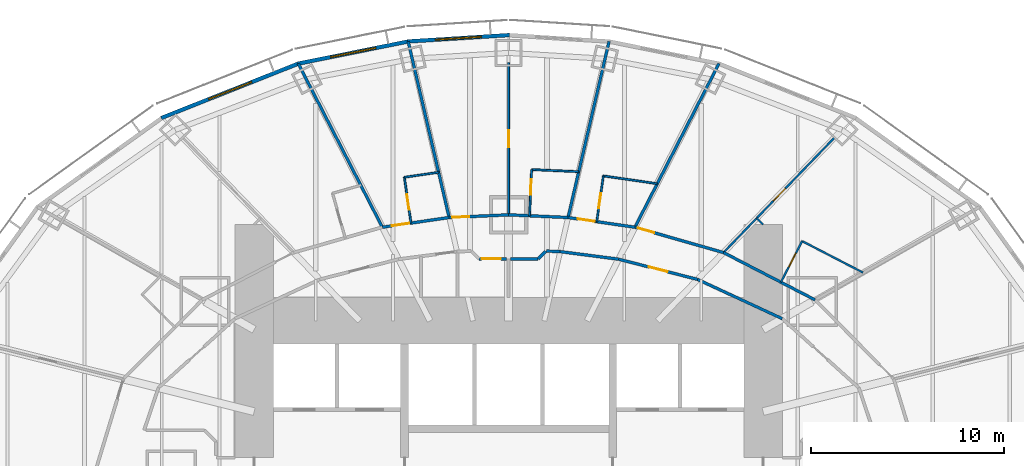
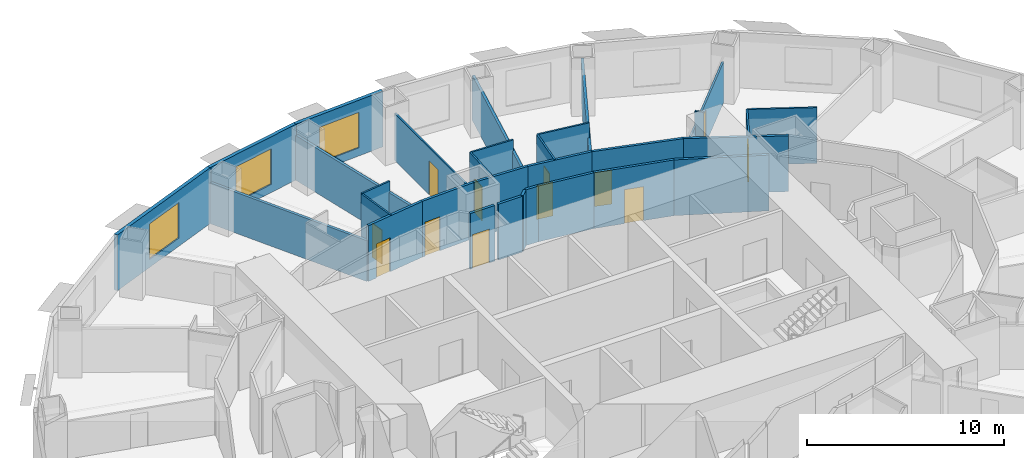
# One storey, part 9 of 15: 31 walls, 12 doors, 3 windows, 15 openings.
"""IFC4 building model written with IfcOpenShell, lengths in metres."""

from ifc_helpers import new_model, si_unit, direction, frame, frame_2d, origin, place, context, subcontext, project, spatial, rectangle, extrude, material, layer, layer_set, type_object, element, fill, save


model = new_model("IFC4")

# Units and contexts
model_context = context("Model", 3, precision=1e-05, world=origin(), true_north=direction((0.0, 1.0)))
body_context = subcontext(model_context, "Body", "Model", "MODEL_VIEW")
ifc_project = project(units=[si_unit("LENGTHUNIT", "METRE"), si_unit("AREAUNIT", "SQUARE_METRE"), si_unit("VOLUMEUNIT", "CUBIC_METRE"), si_unit("PLANEANGLEUNIT", "RADIAN"), si_unit("MASSUNIT", "GRAM", prefix="KILO")], contexts=[model_context])

# Site, building, storey
site_placement = place(None, origin())
site = spatial("IfcSite", under=ifc_project, at=site_placement, CompositionType="ELEMENT")
building_placement = place(site_placement, origin())
building = spatial("IfcBuilding", under=site, at=building_placement, Name="Lantaw Convention Tower", CompositionType="ELEMENT")
storey_placement = place(building_placement, frame((0.0, 0.0, 47.800048828125)))
storey = spatial("IfcBuildingStorey", under=building, at=storey_placement, Name="L09", CompositionType="ELEMENT", Elevation=47.800048828125)

# Wall, opening, door
ifc_material_1 = material(Name="Moisture resistant gypsum board on steel studs", Category="steel")
ifc_layer_1 = layer(ifc_material_1, 0.10009765625)
ifc_layer_set_1 = layer_set([ifc_layer_1], Name="Bathroom wall 100")
wall_type_1 = type_object("IfcWallType", Name="Bathroom wall 100", PredefinedType="PARTITIONING", material=ifc_layer_set_1)
wall_1_placement = place(storey_placement, frame((14.12451171875, 10.0048828125, 0.0), z_axis=(0.0, 0.0, 1.0), x_axis=(0.459218106657, 0.888323550582, 0.0)))
wall_1 = element("IfcWall", 1, at=wall_1_placement, inside=storey, type_object=wall_type_1, Name="Bathroom wall 100", PredefinedType="PARTITIONING", context=body_context, shape_type="SweptSolid", body=[
    extrude(rectangle(XDim=2.39990234375, YDim=0.10009765625, at=frame_2d((1.199951171875, 0.0))), origin(), (0.0, 0.0, 1.0), 3.449951171875),
])
opening_1_placement = place(wall_1_placement, frame((0.89990234375, 0.0, 0.0)))
opening_1 = element("IfcOpeningElement", 2, at=opening_1_placement, cuts=wall_1, Name="Opening L09.28", PredefinedType="OPENING", context=body_context, shape_type="SweptSolid", body=[
    extrude(rectangle(XDim=0.800048828125, YDim=2.10009765625, at=frame_2d((0.39990234375, 1.050048828125))), frame((0.0, 0.06005859375, 0.0), z_axis=(0.0, -1.0, 0.0), x_axis=(1.0, 0.0, 0.0)), (0.0, 0.0, 1.0), 0.1201171875),
])
ifc_material_2 = material(Name="Timber", Category="wood")
door_type_1 = type_object("IfcDoorType", Name="Bathroom door 800", OperationType="SINGLE_SWING_LEFT", PredefinedType="DOOR", material=ifc_material_2)
door_1_placement = place(opening_1_placement, origin())
door_1 = element("IfcDoor", 3, at=door_1_placement, inside=storey, type_object=door_type_1, Name="Bathroom door", OperationType="SINGLE_SWING_LEFT", OverallHeight=2.10009765625, OverallWidth=0.800048828125, PredefinedType="DOOR", context=body_context, shape_type="SweptSolid", body=[
    extrude(rectangle(XDim=0.800048828125, YDim=2.10009765625, at=frame_2d((0.39990234375, 1.050048828125))), frame((0.0, 0.02490234375, 0.0), z_axis=(0.0, -1.0, 0.0), x_axis=(1.0, 0.0, 0.0)), (0.0, 0.0, 1.0), 0.050048828125),
])
fill(opening_1, door_1)

# Wall
wall_2_placement = place(storey_placement, frame((15.2265625, 12.13671875, 0.0), z_axis=(0.0, 0.0, 1.0), x_axis=(0.888342312029, -0.459181812204, 0.0)))
element("IfcWall", 4, at=wall_2_placement, inside=storey, type_object=wall_type_1, Name="Bathroom wall 100", PredefinedType="PARTITIONING", context=body_context, shape_type="SweptSolid", body=[
    extrude(rectangle(XDim=3.5537109375, YDim=0.10009765625, at=frame_2d((1.77685546875, 0.0))), origin(), (0.0, 0.0, 1.0), 3.449951171875),
])

# Wall, opening, door
wall_3_placement = place(storey_placement, frame((4.572021484375, 13.144775390625, 0.0), z_axis=(0.0, 0.0, 1.0), x_axis=(0.143429072319, 0.989660599, 0.0)))
wall_3 = element("IfcWall", 5, at=wall_3_placement, inside=storey, type_object=wall_type_1, Name="Bathroom wall 100", PredefinedType="PARTITIONING", context=body_context, shape_type="SweptSolid", body=[
    extrude(rectangle(XDim=2.400146484375, YDim=0.10009765625, at=frame_2d((1.2001953125, 0.0))), origin(), (0.0, 0.0, 1.0), 3.449951171875),
])
opening_2_placement = place(wall_3_placement, frame((0.699951171875, 0.0, 0.0)))
opening_2 = element("IfcOpeningElement", 6, at=opening_2_placement, cuts=wall_3, Name="Opening L09.31", PredefinedType="OPENING", context=body_context, shape_type="SweptSolid", body=[
    extrude(rectangle(XDim=0.800048828125, YDim=2.10009765625, at=frame_2d((0.39990234375, 1.050048828125))), frame((0.0, 0.06005859375, 0.0), z_axis=(0.0, -1.0, 0.0), x_axis=(1.0, 0.0, 0.0)), (0.0, 0.0, 1.0), 0.1201171875),
])
door_2_placement = place(opening_2_placement, origin())
door_2 = element("IfcDoor", 7, at=door_2_placement, inside=storey, type_object=door_type_1, Name="Bathroom door", OperationType="SINGLE_SWING_LEFT", OverallHeight=2.10009765625, OverallWidth=0.800048828125, PredefinedType="DOOR", context=body_context, shape_type="SweptSolid", body=[
    extrude(rectangle(XDim=0.800048828125, YDim=2.10009765625, at=frame_2d((0.39990234375, 1.050048828125))), frame((0.0, 0.02490234375, 0.0), z_axis=(0.0, -1.0, 0.0), x_axis=(1.0, 0.0, 0.0)), (0.0, 0.0, 1.0), 0.050048828125),
])
fill(opening_2, door_2)

# Wall
wall_4_placement = place(storey_placement, frame((4.916259765625, 15.52001953125, 0.0), z_axis=(0.0, 0.0, 1.0), x_axis=(0.989657744136, -0.143448769503, 0.0)))
element("IfcWall", 8, at=wall_4_placement, inside=storey, type_object=wall_type_1, Name="Bathroom wall 100", PredefinedType="PARTITIONING", context=body_context, shape_type="SweptSolid", body=[
    extrude(rectangle(XDim=2.81494140625, YDim=0.10009765625, at=frame_2d((1.407470703125, 0.0))), origin(), (0.0, 0.0, 1.0), 3.449951171875),
])

# Wall, opening, door
wall_5_placement = place(storey_placement, frame((1.08642578125, 13.450927734375, 0.0), z_axis=(0.0, 0.0, 1.0), x_axis=(0.045269225691, 0.998974823109, 0.0)))
wall_5 = element("IfcWall", 9, at=wall_5_placement, inside=storey, type_object=wall_type_1, Name="Bathroom wall 100", PredefinedType="PARTITIONING", context=body_context, shape_type="SweptSolid", body=[
    extrude(rectangle(XDim=2.39990234375, YDim=0.10009765625, at=frame_2d((1.199951171875, 0.0))), origin(), (0.0, 0.0, 1.0), 3.449951171875),
])
opening_3_placement = place(wall_5_placement, frame((1.10009765625, 0.0, 0.0)))
opening_3 = element("IfcOpeningElement", 10, at=opening_3_placement, cuts=wall_5, Name="Opening L09.33", PredefinedType="OPENING", context=body_context, shape_type="SweptSolid", body=[
    extrude(rectangle(XDim=0.800048828125, YDim=2.10009765625, at=frame_2d((0.39990234375, 1.050048828125))), frame((0.0, 0.06005859375, 0.0), z_axis=(0.0, -1.0, 0.0), x_axis=(1.0, 0.0, 0.0)), (0.0, 0.0, 1.0), 0.1201171875),
])
door_3_placement = place(opening_3_placement, origin())
door_3 = element("IfcDoor", 11, at=door_3_placement, inside=storey, type_object=door_type_1, Name="Bathroom door", OperationType="SINGLE_SWING_LEFT", OverallHeight=2.10009765625, OverallWidth=0.800048828125, PredefinedType="DOOR", context=body_context, shape_type="SweptSolid", body=[
    extrude(rectangle(XDim=0.800048828125, YDim=2.10009765625, at=frame_2d((0.39990234375, 1.050048828125))), frame((0.0, 0.02490234375, 0.0), z_axis=(0.0, -1.0, 0.0), x_axis=(1.0, 0.0, 0.0)), (0.0, 0.0, 1.0), 0.050048828125),
])
fill(opening_3, door_3)

# Wall
wall_6_placement = place(storey_placement, frame((1.195068359375, 15.848388671875, 0.0), z_axis=(0.0, 0.0, 1.0), x_axis=(0.998977389599, -0.045212554331, 0.0)))
element("IfcWall", 12, at=wall_6_placement, inside=storey, type_object=wall_type_1, Name="Bathroom wall 100", PredefinedType="PARTITIONING", context=body_context, shape_type="SweptSolid", body=[
    extrude(rectangle(XDim=2.440673828125, YDim=0.10009765625, at=frame_2d((1.22021484375, 0.0))), origin(), (0.0, 0.0, 1.0), 3.449951171875),
])

# Wall, opening, door
wall_7_placement = place(storey_placement, frame((-5.063720703125, 13.073486328125, 0.0), z_axis=(0.0, 0.0, 1.0), x_axis=(-0.143429072319, 0.989660599, 0.0)))
wall_7 = element("IfcWall", 13, at=wall_7_placement, inside=storey, type_object=wall_type_1, Name="Bathroom wall 100", PredefinedType="PARTITIONING", context=body_context, shape_type="SweptSolid", body=[
    extrude(rectangle(XDim=2.400146484375, YDim=0.10009765625, at=frame_2d((1.2001953125, 0.0))), origin(), (0.0, 0.0, 1.0), 3.449951171875),
])
opening_4_placement = place(wall_7_placement, frame((0.699951171875, 0.0, 0.0)))
opening_4 = element("IfcOpeningElement", 14, at=opening_4_placement, cuts=wall_7, Name="Opening L09.36", PredefinedType="OPENING", context=body_context, shape_type="SweptSolid", body=[
    extrude(rectangle(XDim=0.800048828125, YDim=2.10009765625, at=frame_2d((0.39990234375, 1.050048828125))), frame((0.0, 0.06005859375, 0.0), z_axis=(0.0, -1.0, 0.0), x_axis=(1.0, 0.0, 0.0)), (0.0, 0.0, 1.0), 0.1201171875),
])
door_4_placement = place(opening_4_placement, origin())
door_4 = element("IfcDoor", 15, at=door_4_placement, inside=storey, type_object=door_type_1, Name="Bathroom door", OperationType="SINGLE_SWING_LEFT", OverallHeight=2.10009765625, OverallWidth=0.800048828125, PredefinedType="DOOR", context=body_context, shape_type="SweptSolid", body=[
    extrude(rectangle(XDim=0.800048828125, YDim=2.10009765625, at=frame_2d((0.39990234375, 1.050048828125))), frame((0.0, 0.02490234375, 0.0), z_axis=(0.0, -1.0, 0.0), x_axis=(1.0, 0.0, 0.0)), (0.0, 0.0, 1.0), 0.050048828125),
])
fill(opening_4, door_4)

# Walls
wall_8_placement = place(storey_placement, frame((-5.407958984375, 15.44873046875, 0.0), z_axis=(0.0, 0.0, 1.0), x_axis=(0.989654460802, 0.143471419502, 0.0)))
element("IfcWall", 16, at=wall_8_placement, inside=storey, type_object=wall_type_1, Name="Bathroom wall 100", PredefinedType="PARTITIONING", context=body_context, shape_type="SweptSolid", body=[
    extrude(rectangle(XDim=1.80029296875, YDim=0.10009765625, at=frame_2d((0.900146484375, 0.0))), origin(), (0.0, 0.0, 1.0), 3.449951171875),
])
ifc_material_3 = material(Name="Gypsum board on steel studs, fire rated", Category="steel")
ifc_layer_2 = layer(ifc_material_3, 0.14990234375)
ifc_layer_set_2 = layer_set([ifc_layer_2], Name="Corridor wall 150 EI 60")
wall_type_2 = type_object("IfcWallType", Name="Corridor wall 150 EI 60", PredefinedType="PARTITIONING", material=ifc_layer_set_2)
wall_9_placement = place(storey_placement, frame((15.901123046875, 9.08642578125, 0.0), z_axis=(0.0, 0.0, 1.0), x_axis=(-0.888333171507, 0.459199495209, 0.0)))
element("IfcWall", 17, at=wall_9_placement, inside=storey, type_object=wall_type_2, Name="Corridor wall 150", PredefinedType="PARTITIONING", context=body_context, shape_type="SweptSolid", body=[
    extrude(rectangle(XDim=5.351318359375, YDim=0.14990234375, at=frame_2d((2.67578125, 0.0))), origin(), (0.0, 0.0, 1.0), 3.449951171875),
])

# Wall, opening, door
wall_10_placement = place(storey_placement, frame((11.1474609375, 11.543701171875, 0.0), z_axis=(0.0, 0.0, 1.0), x_axis=(-0.961464178199, 0.27493023486, 0.0)))
wall_10 = element("IfcWall", 18, at=wall_10_placement, inside=storey, type_object=wall_type_2, Name="Corridor wall 150", PredefinedType="PARTITIONING", context=body_context, shape_type="SweptSolid", body=[
    extrude(rectangle(XDim=4.7802734375, YDim=0.14990234375, at=frame_2d((2.39013671875, 0.0))), origin(), (0.0, 0.0, 1.0), 3.449951171875),
])
opening_5_placement = place(wall_10_placement, frame((3.730224609375, 0.0, 0.0)))
opening_5 = element("IfcOpeningElement", 19, at=opening_5_placement, cuts=wall_10, Name="Opening L09.30", PredefinedType="OPENING", context=body_context, shape_type="SweptSolid", body=[
    extrude(rectangle(XDim=0.89990234375, YDim=2.10009765625, at=frame_2d((0.449951171875, 1.050048828125))), frame((0.0, 0.0849609375, 0.0), z_axis=(0.0, -1.0, 0.0), x_axis=(1.0, 0.0, 0.0)), (0.0, 0.0, 1.0), 0.169921875),
])
ifc_material_4 = material(Name="Steel, fire rated", Category="steel")
door_type_2 = type_object("IfcDoorType", Name="Guest room entrance door FD30S", OperationType="SINGLE_SWING_LEFT", PredefinedType="DOOR", material=ifc_material_4)
door_5_placement = place(opening_5_placement, origin())
door_5 = element("IfcDoor", 20, at=door_5_placement, inside=storey, type_object=door_type_2, Name="Suite entrance door", OperationType="SINGLE_SWING_LEFT", OverallHeight=2.10009765625, OverallWidth=0.89990234375, PredefinedType="DOOR", context=body_context, shape_type="SweptSolid", body=[
    extrude(rectangle(XDim=0.89990234375, YDim=2.10009765625, at=frame_2d((0.449951171875, 1.050048828125))), frame((0.0, 0.02490234375, 0.0), z_axis=(0.0, -1.0, 0.0), x_axis=(1.0, 0.0, 0.0)), (0.0, 0.0, 1.0), 0.050048828125),
])
fill(opening_5, door_5)

wall_11_placement = place(storey_placement, frame((6.551513671875, 12.85791015625, 0.0), z_axis=(0.0, 0.0, 1.0), x_axis=(-0.989661745886, 0.143421158583, 0.0)))
wall_11 = element("IfcWall", 21, at=wall_11_placement, inside=storey, type_object=wall_type_2, Name="Corridor wall 150", PredefinedType="PARTITIONING", context=body_context, shape_type="SweptSolid", body=[
    extrude(rectangle(XDim=3.503173828125, YDim=0.14990234375, at=frame_2d((1.75146484375, 0.0))), origin(), (0.0, 0.0, 1.0), 3.449951171875),
])
opening_6_placement = place(wall_11_placement, frame((2.10009765625, 0.0, 0.0)))
opening_6 = element("IfcOpeningElement", 22, at=opening_6_placement, cuts=wall_11, Name="Opening L09.32", PredefinedType="OPENING", context=body_context, shape_type="SweptSolid", body=[
    extrude(rectangle(XDim=0.89990234375, YDim=2.10009765625, at=frame_2d((0.449951171875, 1.050048828125))), frame((0.0, 0.0849609375, 0.0), z_axis=(0.0, -1.0, 0.0), x_axis=(1.0, 0.0, 0.0)), (0.0, 0.0, 1.0), 0.169921875),
])
door_6_placement = place(opening_6_placement, origin())
door_6 = element("IfcDoor", 23, at=door_6_placement, inside=storey, type_object=door_type_2, Name="Guest room entrance door", OperationType="SINGLE_SWING_LEFT", OverallHeight=2.10009765625, OverallWidth=0.89990234375, PredefinedType="DOOR", context=body_context, shape_type="SweptSolid", body=[
    extrude(rectangle(XDim=0.89990234375, YDim=2.10009765625, at=frame_2d((0.449951171875, 1.050048828125))), frame((0.0, 0.02490234375, 0.0), z_axis=(0.0, -1.0, 0.0), x_axis=(1.0, 0.0, 0.0)), (0.0, 0.0, 1.0), 0.050048828125),
])
fill(opening_6, door_6)

# Wall
wall_12_placement = place(storey_placement, frame((3.08447265625, 13.3603515625, 0.0), z_axis=(0.0, 0.0, 1.0), x_axis=(-0.998976675711, 0.045228325036, 0.0)))
element("IfcWall", 24, at=wall_12_placement, inside=storey, type_object=wall_type_2, Name="Corridor wall 150", PredefinedType="PARTITIONING", context=body_context, shape_type="SweptSolid", body=[
    extrude(rectangle(XDim=3.087646484375, YDim=0.14990234375, at=frame_2d((1.5439453125, 0.0))), origin(), (0.0, 0.0, 1.0), 3.449951171875),
])

# Wall, opening, door
wall_13_placement = place(storey_placement, frame((0.0, 13.5, 0.0), z_axis=(0.0, 0.0, 1.0), x_axis=(-0.998976675711, -0.045228325036, 0.0)))
wall_13 = element("IfcWall", 25, at=wall_13_placement, inside=storey, type_object=wall_type_2, Name="Corridor wall 150", PredefinedType="PARTITIONING", context=body_context, shape_type="SweptSolid", body=[
    extrude(rectangle(XDim=3.087646484375, YDim=0.14990234375, at=frame_2d((1.5439453125, 0.0))), origin(), (0.0, 0.0, 1.0), 3.449951171875),
])
opening_7_placement = place(wall_13_placement, frame((2.03759765625, 0.0, 0.0)))
opening_7 = element("IfcOpeningElement", 26, at=opening_7_placement, cuts=wall_13, Name="Opening L09.35", PredefinedType="OPENING", context=body_context, shape_type="SweptSolid", body=[
    extrude(rectangle(XDim=0.89990234375, YDim=2.10009765625, at=frame_2d((0.449951171875, 1.050048828125))), frame((0.0, 0.0849609375, 0.0), z_axis=(0.0, -1.0, 0.0), x_axis=(1.0, 0.0, 0.0)), (0.0, 0.0, 1.0), 0.169921875),
])
door_7_placement = place(opening_7_placement, origin())
door_7 = element("IfcDoor", 27, at=door_7_placement, inside=storey, type_object=door_type_2, Name="Suite entrance door", OperationType="SINGLE_SWING_LEFT", OverallHeight=2.10009765625, OverallWidth=0.89990234375, PredefinedType="DOOR", context=body_context, shape_type="SweptSolid", body=[
    extrude(rectangle(XDim=0.89990234375, YDim=2.10009765625, at=frame_2d((0.449951171875, 1.050048828125))), frame((0.0, 0.02490234375, 0.0), z_axis=(0.0, -1.0, 0.0), x_axis=(1.0, 0.0, 0.0)), (0.0, 0.0, 1.0), 0.050048828125),
])
fill(opening_7, door_7)

wall_14_placement = place(storey_placement, frame((-3.08447265625, 13.3603515625, 0.0), z_axis=(0.0, 0.0, 1.0), x_axis=(-0.989661745886, -0.143421158583, 0.0)))
wall_14 = element("IfcWall", 28, at=wall_14_placement, inside=storey, type_object=wall_type_2, Name="Corridor wall 150", PredefinedType="PARTITIONING", context=body_context, shape_type="SweptSolid", body=[
    extrude(rectangle(XDim=3.503173828125, YDim=0.14990234375, at=frame_2d((1.75146484375, 0.0))), origin(), (0.0, 0.0, 1.0), 3.449951171875),
])
opening_8_placement = place(wall_14_placement, frame((2.10009765625, 0.0, 0.0)))
opening_8 = element("IfcOpeningElement", 29, at=opening_8_placement, cuts=wall_14, Name="Opening L09.37", PredefinedType="OPENING", context=body_context, shape_type="SweptSolid", body=[
    extrude(rectangle(XDim=0.89990234375, YDim=2.10009765625, at=frame_2d((0.449951171875, 1.050048828125))), frame((0.0, 0.0849609375, 0.0), z_axis=(0.0, -1.0, 0.0), x_axis=(1.0, 0.0, 0.0)), (0.0, 0.0, 1.0), 0.169921875),
])
door_8_placement = place(opening_8_placement, origin())
door_8 = element("IfcDoor", 30, at=door_8_placement, inside=storey, type_object=door_type_2, Name="Guest room entrance door", OperationType="SINGLE_SWING_LEFT", OverallHeight=2.10009765625, OverallWidth=0.89990234375, PredefinedType="DOOR", context=body_context, shape_type="SweptSolid", body=[
    extrude(rectangle(XDim=0.89990234375, YDim=2.10009765625, at=frame_2d((0.449951171875, 1.050048828125))), frame((0.0, 0.02490234375, 0.0), z_axis=(0.0, -1.0, 0.0), x_axis=(1.0, 0.0, 0.0)), (0.0, 0.0, 1.0), 0.050048828125),
])
fill(opening_8, door_8)

# Wall
wall_15_placement = place(storey_placement, frame((14.196044921875, 8.112060546875, 0.0), z_axis=(0.0, 0.0, 1.0), x_axis=(-0.907279653965, 0.420527798727, 0.0)))
element("IfcWall", 31, at=wall_15_placement, inside=storey, type_object=wall_type_2, Name="Corridor wall 150", PredefinedType="PARTITIONING", context=body_context, shape_type="SweptSolid", body=[
    extrude(rectangle(XDim=4.84423828125, YDim=0.14990234375, at=frame_2d((2.422119140625, 0.0))), origin(), (0.0, 0.0, 1.0), 3.449951171875),
])

# Wall, opening, door
wall_16_placement = place(storey_placement, frame((9.801025390625, 10.149169921875, 0.0), z_axis=(0.0, 0.0, 1.0), x_axis=(-0.968705891355, 0.248211393886, 0.0)))
wall_16 = element("IfcWall", 32, at=wall_16_placement, inside=storey, type_object=wall_type_2, Name="Corridor wall 150", PredefinedType="PARTITIONING", context=body_context, shape_type="SweptSolid", body=[
    extrude(rectangle(XDim=4.2275390625, YDim=0.14990234375, at=frame_2d((2.11376953125, 0.0))), origin(), (0.0, 0.0, 1.0), 3.449951171875),
])
opening_9_placement = place(wall_16_placement, frame((1.61376953125, 0.0, 0.0)))
opening_9 = element("IfcOpeningElement", 33, at=opening_9_placement, cuts=wall_16, Name="Opening L09.16", PredefinedType="OPENING", context=body_context, shape_type="SweptSolid", body=[
    extrude(rectangle(XDim=1.0, YDim=2.10009765625, at=frame_2d((0.5, 1.050048828125))), frame((0.0, 0.0849609375, 0.0), z_axis=(0.0, -1.0, 0.0), x_axis=(1.0, 0.0, 0.0)), (0.0, 0.0, 1.0), 0.169921875),
])
door_type_3 = type_object("IfcDoorType", Name="Service door 1000 FD30", OperationType="SINGLE_SWING_LEFT", PredefinedType="DOOR", material=ifc_material_4)
door_9_placement = place(opening_9_placement, origin())
door_9 = element("IfcDoor", 34, at=door_9_placement, inside=storey, type_object=door_type_3, Name="Linen store door", OperationType="SINGLE_SWING_LEFT", OverallHeight=2.10009765625, OverallWidth=1.0, PredefinedType="DOOR", context=body_context, shape_type="SweptSolid", body=[
    extrude(rectangle(XDim=1.0, YDim=2.10009765625, at=frame_2d((0.5, 1.050048828125))), frame((0.0, 0.02490234375, 0.0), z_axis=(0.0, -1.0, 0.0), x_axis=(1.0, 0.0, 0.0)), (0.0, 0.0, 1.0), 0.050048828125),
])
fill(opening_9, door_9)

# Walls
wall_17_placement = place(storey_placement, frame((5.705810546875, 11.198486328125, 0.0), z_axis=(0.0, 0.0, 1.0), x_axis=(-0.99168929531, 0.128655903743, 0.0)))
element("IfcWall", 35, at=wall_17_placement, inside=storey, type_object=wall_type_2, Name="Corridor wall 150", PredefinedType="PARTITIONING", context=body_context, shape_type="SweptSolid", body=[
    extrude(rectangle(XDim=3.05517578125, YDim=0.14990234375, at=frame_2d((1.527587890625, 0.0))), origin(), (0.0, 0.0, 1.0), 3.449951171875),
])
wall_18_placement = place(storey_placement, frame((2.676025390625, 11.591552734375, 0.0), z_axis=(0.0, 0.0, 1.0), x_axis=(-0.999181454908, 0.040452690482, 0.0)))
element("IfcWall", 36, at=wall_18_placement, inside=storey, type_object=wall_type_2, Name="Corridor wall 150", PredefinedType="PARTITIONING", context=body_context, shape_type="SweptSolid", body=[
    extrude(rectangle(XDim=0.72412109375, YDim=0.14990234375, at=frame_2d((0.362060546875, 0.0))), origin(), (0.0, 0.0, 1.0), 3.449951171875),
])
wall_19_placement = place(storey_placement, frame((1.921630859375, 11.604248046875, 0.0), z_axis=(0.0, 0.0, 1.0), x_axis=(-0.707328479487, -0.706885013356, 0.0)))
element("IfcWall", 37, at=wall_19_placement, inside=storey, type_object=wall_type_2, Name="Corridor wall 150", PredefinedType="PARTITIONING", context=body_context, shape_type="SweptSolid", body=[
    extrude(rectangle(XDim=0.550537109375, YDim=0.14990234375, at=frame_2d((0.275390625, 0.0))), origin(), (0.0, 0.0, 1.0), 3.449951171875),
])
wall_20_placement = place(storey_placement, frame((1.5322265625, 11.215087890625, 0.0), z_axis=(0.0, 0.0, 1.0), x_axis=(-1.0, 0.0, 0.0)))
element("IfcWall", 38, at=wall_20_placement, inside=storey, type_object=wall_type_2, Name="Corridor wall 150", PredefinedType="PARTITIONING", context=body_context, shape_type="SweptSolid", body=[
    extrude(rectangle(XDim=1.428955078125, YDim=0.14990234375, at=frame_2d((0.71435546875, 0.0))), origin(), (0.0, 0.0, 1.0), 3.449951171875),
])

# Wall, opening, door
wall_21_placement = place(storey_placement, frame((-0.103271484375, 11.215087890625, 0.0), z_axis=(0.0, 0.0, 1.0), x_axis=(-1.0, 0.0, 0.0)))
wall_21 = element("IfcWall", 39, at=wall_21_placement, inside=storey, type_object=wall_type_2, Name="Corridor wall 150", PredefinedType="PARTITIONING", context=body_context, shape_type="SweptSolid", body=[
    extrude(rectangle(XDim=1.428955078125, YDim=0.14990234375, at=frame_2d((0.71435546875, 0.0))), origin(), (0.0, 0.0, 1.0), 3.449951171875),
])
opening_10_placement = place(wall_21_placement, frame((0.300048828125, 0.0, 0.0)))
opening_10 = element("IfcOpeningElement", 40, at=opening_10_placement, cuts=wall_21, Name="Opening L09.18", PredefinedType="OPENING", context=body_context, shape_type="SweptSolid", body=[
    extrude(rectangle(XDim=1.0, YDim=2.10009765625, at=frame_2d((0.5, 1.050048828125))), frame((0.0, 0.0849609375, 0.0), z_axis=(0.0, -1.0, 0.0), x_axis=(1.0, 0.0, 0.0)), (0.0, 0.0, 1.0), 0.169921875),
])
door_type_4 = type_object("IfcDoorType", Name="Accessible WC door 1000 FD30", OperationType="SINGLE_SWING_LEFT", PredefinedType="DOOR", material=ifc_material_4)
door_10_placement = place(opening_10_placement, origin())
door_10 = element("IfcDoor", 41, at=door_10_placement, inside=storey, type_object=door_type_4, Name="Accessible WC door", OperationType="SINGLE_SWING_LEFT", OverallHeight=2.10009765625, OverallWidth=1.0, PredefinedType="DOOR", context=body_context, shape_type="SweptSolid", body=[
    extrude(rectangle(XDim=1.0, YDim=2.10009765625, at=frame_2d((0.5, 1.050048828125))), frame((0.0, 0.02490234375, 0.0), z_axis=(0.0, -1.0, 0.0), x_axis=(1.0, 0.0, 0.0)), (0.0, 0.0, 1.0), 0.050048828125),
])
fill(opening_10, door_10)

# Wall, opening, window
ifc_material_5 = material(Name="Insulated aluminium panel on steel frame", Category="steel")
ifc_layer_3 = layer(ifc_material_5, 0.199951171875)
ifc_layer_set_3 = layer_set([ifc_layer_3], Name="External wall 200")
wall_type_3 = type_object("IfcWallType", Name="External wall 200", PredefinedType="SOLIDWALL", material=ifc_layer_set_3)
wall_22_placement = place(storey_placement, frame((0.041015625, 22.8271484375, 0.0), z_axis=(0.0, 0.0, 1.0), x_axis=(-0.998018582375, -0.062919863585, 0.0)))
wall_22 = element("IfcWall", 42, at=wall_22_placement, inside=storey, type_object=wall_type_3, Name="Facade panel wall", PredefinedType="SOLIDWALL", context=body_context, shape_type="SweptSolid", body=[
    extrude(rectangle(XDim=5.30419921875, YDim=0.199951171875, at=frame_2d((2.652099609375, 0.0))), origin(), (0.0, 0.0, 1.0), 3.449951171875),
])
opening_11_placement = place(wall_22_placement, frame((1.4521484375, 0.0, 0.5)))
opening_11 = element("IfcOpeningElement", 43, at=opening_11_placement, cuts=wall_22, Name="Opening W1", PredefinedType="OPENING", context=body_context, shape_type="SweptSolid", body=[
    extrude(rectangle(XDim=2.39990234375, YDim=2.199951171875, at=frame_2d((1.199951171875, 1.10009765625))), frame((0.0, 0.10986328125, 0.0), z_axis=(0.0, -1.0, 0.0), x_axis=(1.0, 0.0, 0.0)), (0.0, 0.0, 1.0), 0.219970703125),
])
ifc_material_6 = material(Name="Aluminium frame, clear insulating glass", Category="aluminium")
window_type = type_object("IfcWindowType", Name="Guest room window 2400x2200", PartitioningType="SINGLE_PANEL", PredefinedType="WINDOW", material=ifc_material_6)
window_1_placement = place(opening_11_placement, origin())
window_1 = element("IfcWindow", 44, at=window_1_placement, inside=storey, type_object=window_type, Name="Guest room window", OverallHeight=2.199951171875, OverallWidth=2.39990234375, PartitioningType="SINGLE_PANEL", PredefinedType="WINDOW", context=body_context, shape_type="SweptSolid", body=[
    extrude(rectangle(XDim=2.39990234375, YDim=2.199951171875, at=frame_2d((1.199951171875, 1.10009765625))), frame((0.0, 0.030029296875, 0.0), z_axis=(0.0, -1.0, 0.0), x_axis=(1.0, 0.0, 0.0)), (0.0, 0.0, 1.0), 0.06005859375),
])
fill(opening_11, window_1)

wall_23_placement = place(storey_placement, frame((-5.169677734375, 22.504150390625, 0.0), z_axis=(0.0, 0.0, 1.0), x_axis=(-0.980251657452, -0.197754110105, 0.0)))
wall_23 = element("IfcWall", 45, at=wall_23_placement, inside=storey, type_object=wall_type_3, Name="Facade panel wall", PredefinedType="SOLIDWALL", context=body_context, shape_type="SweptSolid", body=[
    extrude(rectangle(XDim=5.90380859375, YDim=0.199951171875, at=frame_2d((2.951904296875, 0.0))), origin(), (0.0, 0.0, 1.0), 3.449951171875),
])
opening_12_placement = place(wall_23_placement, frame((1.751708984375, 0.0, 0.5)))
opening_12 = element("IfcOpeningElement", 46, at=opening_12_placement, cuts=wall_23, Name="Opening W1", PredefinedType="OPENING", context=body_context, shape_type="SweptSolid", body=[
    extrude(rectangle(XDim=2.39990234375, YDim=2.199951171875, at=frame_2d((1.199951171875, 1.10009765625))), frame((0.0, 0.10986328125, 0.0), z_axis=(0.0, -1.0, 0.0), x_axis=(1.0, 0.0, 0.0)), (0.0, 0.0, 1.0), 0.219970703125),
])
window_2_placement = place(opening_12_placement, origin())
window_2 = element("IfcWindow", 47, at=window_2_placement, inside=storey, type_object=window_type, Name="Guest room window", OverallHeight=2.199951171875, OverallWidth=2.39990234375, PartitioningType="SINGLE_PANEL", PredefinedType="WINDOW", context=body_context, shape_type="SweptSolid", body=[
    extrude(rectangle(XDim=2.39990234375, YDim=2.199951171875, at=frame_2d((1.199951171875, 1.10009765625))), frame((0.0, 0.030029296875, 0.0), z_axis=(0.0, -1.0, 0.0), x_axis=(1.0, 0.0, 0.0)), (0.0, 0.0, 1.0), 0.06005859375),
])
fill(opening_12, window_2)

wall_24_placement = place(storey_placement, frame((-10.869384765625, 21.362548828125, 0.0), z_axis=(0.0, 0.0, 1.0), x_axis=(-0.929358351251, -0.369178892895, 0.0)))
wall_24 = element("IfcWall", 48, at=wall_24_placement, inside=storey, type_object=wall_type_3, Name="Facade panel wall", PredefinedType="SOLIDWALL", context=body_context, shape_type="SweptSolid", body=[
    extrude(rectangle(XDim=7.6923828125, YDim=0.199951171875, at=frame_2d((3.84619140625, 0.0))), origin(), (0.0, 0.0, 1.0), 3.449951171875),
])
opening_13_placement = place(wall_24_placement, frame((2.64599609375, 0.0, 0.5)))
opening_13 = element("IfcOpeningElement", 49, at=opening_13_placement, cuts=wall_24, Name="Opening W1", PredefinedType="OPENING", context=body_context, shape_type="SweptSolid", body=[
    extrude(rectangle(XDim=2.39990234375, YDim=2.199951171875, at=frame_2d((1.199951171875, 1.10009765625))), frame((0.0, 0.10986328125, 0.0), z_axis=(0.0, -1.0, 0.0), x_axis=(1.0, 0.0, 0.0)), (0.0, 0.0, 1.0), 0.219970703125),
])
window_3_placement = place(opening_13_placement, origin())
window_3 = element("IfcWindow", 50, at=window_3_placement, inside=storey, type_object=window_type, Name="Guest room window", OverallHeight=2.199951171875, OverallWidth=2.39990234375, PartitioningType="SINGLE_PANEL", PredefinedType="WINDOW", context=body_context, shape_type="SweptSolid", body=[
    extrude(rectangle(XDim=2.39990234375, YDim=2.199951171875, at=frame_2d((1.199951171875, 1.10009765625))), frame((0.0, 0.030029296875, 0.0), z_axis=(0.0, -1.0, 0.0), x_axis=(1.0, 0.0, 0.0)), (0.0, 0.0, 1.0), 0.06005859375),
])
fill(opening_13, window_3)

# Walls
ifc_material_7 = material(Name="Gypsum board on steel studs, acoustic", Category="steel")
ifc_layer_4 = layer(ifc_material_7, 0.14990234375)
ifc_layer_set_4 = layer_set([ifc_layer_4], Name="Guest room party wall 150")
wall_type_4 = type_object("IfcWallType", Name="Guest room party wall 150", PredefinedType="PARTITIONING", material=ifc_layer_set_4)
wall_25_placement = place(storey_placement, frame((10.911865234375, 21.345703125, 0.0), z_axis=(0.0, 0.0, 1.0), x_axis=(-0.456950233066, -0.889492262193, 0.0)))
element("IfcWall", 51, at=wall_25_placement, inside=storey, type_object=wall_type_4, Name="Guest room party wall 150", PredefinedType="PARTITIONING", context=body_context, shape_type="SweptSolid", body=[
    extrude(rectangle(XDim=9.542236328125, YDim=0.14990234375, at=frame_2d((4.77099609375, 0.0))), origin(), (0.0, 0.0, 1.0), 2.52783203125),
])
for number, where, z_axis, x_axis, name in (
    (52, (5.2109375, 22.495849609375, 0.0), (0.0, 0.0, 1.0), (-0.226708737679, -0.973962601058, 0.0), "Guest room party wall 150"),
    (53, (-5.2109375, 22.495849609375, 0.0), (0.0, 0.0, 1.0), (0.226708737679, -0.973962601058, 0.0), "Guest room party wall 150"),
):
    element("IfcWall", number, at=place(storey_placement, frame(where, z_axis=z_axis, x_axis=x_axis)), inside=storey, type_object=wall_type_4, Name=name, PredefinedType="PARTITIONING", context=body_context, shape_type="SweptSolid", body=[
        extrude(rectangle(XDim=9.379638671875, YDim=0.14990234375, at=frame_2d((4.68994140625, 0.0))), origin(), (0.0, 0.0, 1.0), 2.7666015625),
    ])
wall_26_placement = place(storey_placement, frame((-10.911865234375, 21.345703125, 0.0), z_axis=(0.0, 0.0, 1.0), x_axis=(0.456950233066, -0.889492262193, 0.0)))
element("IfcWall", 54, at=wall_26_placement, inside=storey, type_object=wall_type_4, Name="Guest room party wall 150", PredefinedType="PARTITIONING", context=body_context, shape_type="SweptSolid", body=[
    extrude(rectangle(XDim=9.542236328125, YDim=0.14990234375, at=frame_2d((4.77099609375, 0.0))), origin(), (0.0, 0.0, 1.0), 2.52783203125),
])
ifc_layer_5 = layer(ifc_material_7, 0.10009765625)
ifc_layer_set_5 = layer_set([ifc_layer_5], Name="Office partition 100")
wall_type_5 = type_object("IfcWallType", Name="Office partition 100", PredefinedType="PARTITIONING", material=ifc_layer_set_5)
wall_27_placement = place(storey_placement, frame((13.199951171875, 13.0, 0.0), z_axis=(0.0, 0.0, 1.0), x_axis=(-0.719347134512, 0.69465077562, 0.0)))
element("IfcWall", 55, at=wall_27_placement, inside=storey, type_object=wall_type_5, Name="Office partition 100", PredefinedType="PARTITIONING", context=body_context, shape_type="SweptSolid", body=[
    extrude(rectangle(XDim=0.464599609375, YDim=0.10009765625, at=frame_2d((0.232421875, 0.0))), origin(), (0.0, 0.0, 1.0), 3.449951171875),
])

# Wall, opening, door
ifc_material_8 = material(Name="Gypsum board on steel studs", Category="steel")
ifc_layer_6 = layer(ifc_material_8, 0.10009765625)
ifc_layer_set_6 = layer_set([ifc_layer_6], Name="Suite partition 100")
wall_type_6 = type_object("IfcWallType", Name="Suite partition 100", PredefinedType="PARTITIONING", material=ifc_layer_set_6)
wall_28_placement = place(storey_placement, frame((16.943603515625, 17.54541015625, 0.0), z_axis=(0.0, 0.0, 1.0), x_axis=(-0.694680670522, -0.71931826475, 0.0)))
wall_28 = element("IfcWall", 56, at=wall_28_placement, inside=storey, type_object=wall_type_6, Name="Suite partition 100", PredefinedType="PARTITIONING", context=body_context, shape_type="SweptSolid", body=[
    extrude(rectangle(XDim=8.343505859375, YDim=0.10009765625, at=frame_2d((4.171875, 0.0))), origin(), (0.0, 0.0, 1.0), 2.52783203125),
])
opening_14_placement = place(wall_28_placement, frame((3.7216796875, 0.0, 0.0)))
opening_14 = element("IfcOpeningElement", 57, at=opening_14_placement, cuts=wall_28, Name="Opening L09.29", PredefinedType="OPENING", context=body_context, shape_type="SweptSolid", body=[
    extrude(rectangle(XDim=0.89990234375, YDim=2.10009765625, at=frame_2d((0.449951171875, 1.050048828125))), frame((0.0, 0.06005859375, 0.0), z_axis=(0.0, -1.0, 0.0), x_axis=(1.0, 0.0, 0.0)), (0.0, 0.0, 1.0), 0.1201171875),
])
door_type_5 = type_object("IfcDoorType", Name="Suite door 900", OperationType="SINGLE_SWING_LEFT", PredefinedType="DOOR", material=ifc_material_2)
door_11_placement = place(opening_14_placement, origin())
door_11 = element("IfcDoor", 58, at=door_11_placement, inside=storey, type_object=door_type_5, Name="Bedroom door", OperationType="SINGLE_SWING_LEFT", OverallHeight=2.10009765625, OverallWidth=0.89990234375, PredefinedType="DOOR", context=body_context, shape_type="SweptSolid", body=[
    extrude(rectangle(XDim=0.89990234375, YDim=2.10009765625, at=frame_2d((0.449951171875, 1.050048828125))), frame((0.0, 0.02490234375, 0.0), z_axis=(0.0, -1.0, 0.0), x_axis=(1.0, 0.0, 0.0)), (0.0, 0.0, 1.0), 0.050048828125),
])
fill(opening_14, door_11)

wall_29_placement = place(storey_placement, frame((0.0, 21.39990234375, 0.0), z_axis=(0.0, 0.0, 1.0), x_axis=(0.0, -1.0, 0.0)))
wall_29 = element("IfcWall", 59, at=wall_29_placement, inside=storey, type_object=wall_type_6, Name="Suite partition 100", PredefinedType="PARTITIONING", context=body_context, shape_type="SweptSolid", body=[
    extrude(rectangle(XDim=7.89990234375, YDim=0.10009765625, at=frame_2d((3.949951171875, 0.0))), origin(), (0.0, 0.0, 1.0), 2.924072265625),
])
opening_15_placement = place(wall_29_placement, frame((3.5, 0.0, 0.0)))
opening_15 = element("IfcOpeningElement", 60, at=opening_15_placement, cuts=wall_29, Name="Opening L09.34", PredefinedType="OPENING", context=body_context, shape_type="SweptSolid", body=[
    extrude(rectangle(XDim=0.89990234375, YDim=2.10009765625, at=frame_2d((0.449951171875, 1.050048828125))), frame((0.0, 0.06005859375, 0.0), z_axis=(0.0, -1.0, 0.0), x_axis=(1.0, 0.0, 0.0)), (0.0, 0.0, 1.0), 0.1201171875),
])
door_12_placement = place(opening_15_placement, origin())
door_12 = element("IfcDoor", 61, at=door_12_placement, inside=storey, type_object=door_type_5, Name="Bedroom door", OperationType="SINGLE_SWING_LEFT", OverallHeight=2.10009765625, OverallWidth=0.89990234375, PredefinedType="DOOR", context=body_context, shape_type="SweptSolid", body=[
    extrude(rectangle(XDim=0.89990234375, YDim=2.10009765625, at=frame_2d((0.449951171875, 1.050048828125))), frame((0.0, 0.02490234375, 0.0), z_axis=(0.0, -1.0, 0.0), x_axis=(1.0, 0.0, 0.0)), (0.0, 0.0, 1.0), 0.050048828125),
])
fill(opening_15, door_12)

save(model, "model.ifc")
